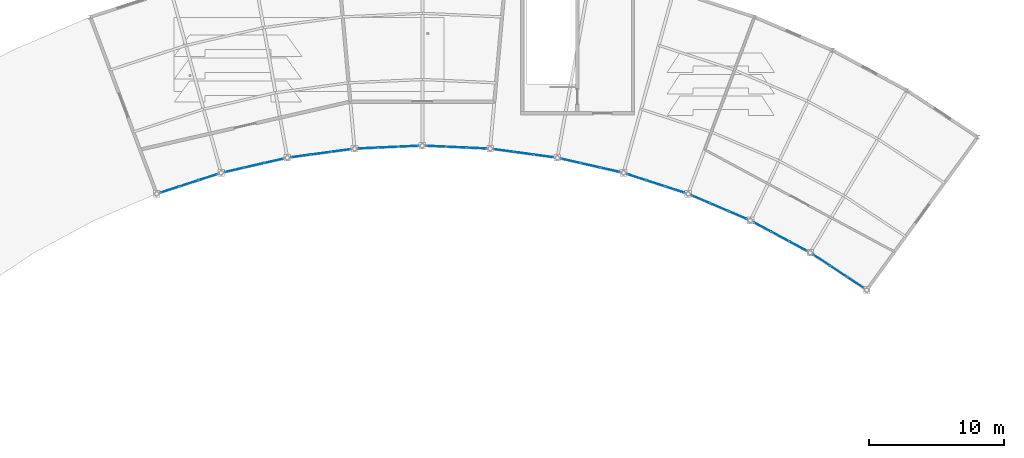
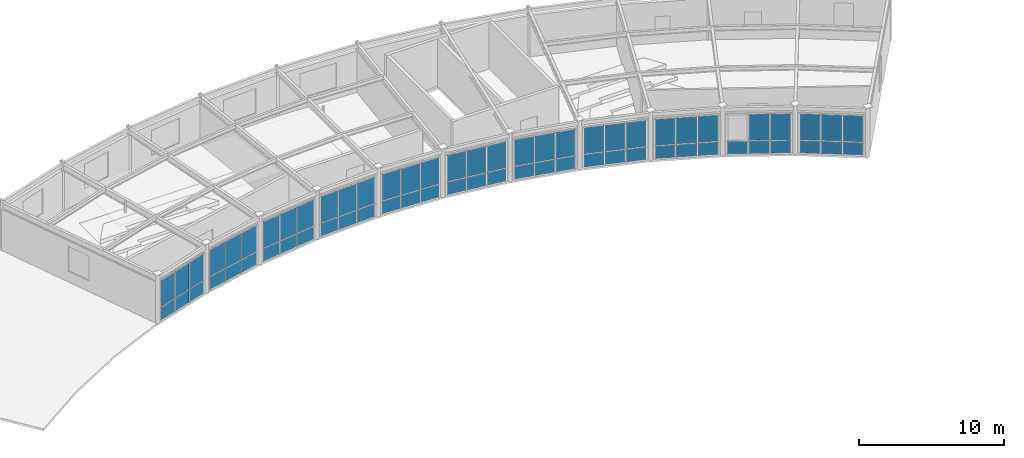
# One storey, part 32 of 54: 65 plates, 11 elements without a shape of their own.
"""IFC4 building model written with IfcOpenShell, lengths in metres."""

from ifc_helpers import new_model, si_unit, direction, frame, origin, origin_2d, place, context, subcontext, project, spatial, rectangle, extrude, material, layer, layer_set, type_object, element, aggregate, save


model = new_model("IFC4")

# Units and contexts
model_context = context("Model", 3, precision=1e-05, world=origin(), true_north=direction((0.0, 1.0)))
body_context = subcontext(model_context, "Body", "Model", "MODEL_VIEW")
ifc_project = project(units=[si_unit("LENGTHUNIT", "METRE"), si_unit("AREAUNIT", "SQUARE_METRE"), si_unit("VOLUMEUNIT", "CUBIC_METRE"), si_unit("PLANEANGLEUNIT", "RADIAN"), si_unit("MASSUNIT", "GRAM", prefix="KILO")], contexts=[model_context])

# Site, building, storey
site_placement = place(None, origin())
site = spatial("IfcSite", under=ifc_project, at=site_placement, CompositionType="ELEMENT")
building_placement = place(site_placement, origin())
building = spatial("IfcBuilding", under=site, at=building_placement, Name="Selat Folded Stagehouse", CompositionType="ELEMENT")
storey_placement = place(building_placement, frame((0.0, 0.0, 15.0)))
storey = spatial("IfcBuildingStorey", under=building, at=storey_placement, Name="L03", CompositionType="ELEMENT", Elevation=15.0)

# Curtain wall, plates
ifc_material_1 = material(Name="Aluminium 6063-T6", Category="aluminium")
ifc_layer_1 = layer(ifc_material_1, 0.18994140625)
ifc_layer_set_1 = layer_set([ifc_layer_1], Name="Aluminium 6063-T6")
curtain_wall_type = type_object("IfcCurtainWallType", Name="CW-REH-ARC", PredefinedType="NOTDEFINED", material=ifc_layer_set_1)
curtain_wall_1_placement = place(storey_placement, origin())
curtain_wall_1 = element("IfcCurtainWall", 1, at=curtain_wall_1_placement, inside=storey, type_object=curtain_wall_type, Name="L03 curtain wall CW-REH-L03-03", PredefinedType="NOTDEFINED")
ifc_material_2 = material(Name="Laminated low-E double glazing", Category="glass")
ifc_layer_2 = layer(ifc_material_2, 0.031982421875)
ifc_layer_set_2 = layer_set([ifc_layer_2], Name="Laminated low-E double glazing")
plate_type = type_object("IfcPlateType", Name="CWP-GLZ-DGU32", PredefinedType="CURTAIN_PANEL", material=ifc_layer_set_2)
plate_1_placement = place(storey_placement, frame((76.53271484375, 91.6669921875, 0.06494140625), z_axis=(0.0, 0.0, 1.0), x_axis=(-0.951064760323, -0.308991620714, 0.0)))
plate_1 = element("IfcPlate", 2, at=plate_1_placement, type_object=plate_type, Name="CW-06 panel 1.1", PredefinedType="CURTAIN_PANEL", context=body_context, shape_type="SweptSolid", body=[
    extrude(rectangle(XDim=1.418212890625, YDim=0.031982421875, at=origin_2d()), origin(), (0.0, 0.0, 1.0), 1.052490234375),
])
plate_2_placement = place(storey_placement, frame((76.53271484375, 91.6669921875, 1.1826171875), z_axis=(0.0, 0.0, 1.0), x_axis=(-0.951064760323, -0.308991620714, 0.0)))
plate_2 = element("IfcPlate", 3, at=plate_2_placement, type_object=plate_type, Name="CW-06 panel 1.2", PredefinedType="CURTAIN_PANEL", context=body_context, shape_type="SweptSolid", body=[
    extrude(rectangle(XDim=1.418212890625, YDim=0.031982421875, at=origin_2d()), origin(), (0.0, 0.0, 1.0), 2.202392578125),
])
plate_3_placement = place(storey_placement, frame((75.112548828125, 91.20556640625, 0.06494140625), z_axis=(0.0, 0.0, 1.0), x_axis=(-0.951064760323, -0.308991620714, 0.0)))
plate_3 = element("IfcPlate", 4, at=plate_3_placement, type_object=plate_type, Name="CW-06 panel 2.1", PredefinedType="CURTAIN_PANEL", context=body_context, shape_type="SweptSolid", body=[
    extrude(rectangle(XDim=1.4482421875, YDim=0.031982421875, at=origin_2d()), origin(), (0.0, 0.0, 1.0), 1.052490234375),
])
plate_4_placement = place(storey_placement, frame((75.112548828125, 91.20556640625, 1.1826171875), z_axis=(0.0, 0.0, 1.0), x_axis=(-0.951064760323, -0.308991620714, 0.0)))
plate_4 = element("IfcPlate", 5, at=plate_4_placement, type_object=plate_type, Name="CW-06 panel 2.2", PredefinedType="CURTAIN_PANEL", context=body_context, shape_type="SweptSolid", body=[
    extrude(rectangle(XDim=1.4482421875, YDim=0.031982421875, at=origin_2d()), origin(), (0.0, 0.0, 1.0), 2.202392578125),
])
plate_5_placement = place(storey_placement, frame((73.6923828125, 90.744140625, 0.06494140625), z_axis=(0.0, 0.0, 1.0), x_axis=(-0.951064760323, -0.308991620714, 0.0)))
plate_5 = element("IfcPlate", 6, at=plate_5_placement, type_object=plate_type, Name="CW-06 panel 3.1", PredefinedType="CURTAIN_PANEL", context=body_context, shape_type="SweptSolid", body=[
    extrude(rectangle(XDim=1.418212890625, YDim=0.031982421875, at=origin_2d()), origin(), (0.0, 0.0, 1.0), 1.052490234375),
])
plate_6_placement = place(storey_placement, frame((73.6923828125, 90.744140625, 1.1826171875), z_axis=(0.0, 0.0, 1.0), x_axis=(-0.951064760323, -0.308991620714, 0.0)))
plate_6 = element("IfcPlate", 7, at=plate_6_placement, type_object=plate_type, Name="CW-06 panel 3.2", PredefinedType="CURTAIN_PANEL", context=body_context, shape_type="SweptSolid", body=[
    extrude(rectangle(XDim=1.418212890625, YDim=0.031982421875, at=origin_2d()), origin(), (0.0, 0.0, 1.0), 2.202392578125),
])
aggregate(curtain_wall_1, [plate_1, plate_2, plate_3, plate_4, plate_5, plate_6])

curtain_wall_2_placement = place(storey_placement, origin())
curtain_wall_2 = element("IfcCurtainWall", 8, at=curtain_wall_2_placement, inside=storey, type_object=curtain_wall_type, Name="L03 curtain wall CW-REH-L03-04", PredefinedType="NOTDEFINED")
plate_7_placement = place(storey_placement, frame((81.4072265625, 92.873291015625, 0.06494140625), z_axis=(0.0, 0.0, 1.0), x_axis=(-0.974922930026, -0.222542761079, 0.0)))
plate_7 = element("IfcPlate", 9, at=plate_7_placement, type_object=plate_type, Name="CW-06 panel 1.1", PredefinedType="CURTAIN_PANEL", context=body_context, shape_type="SweptSolid", body=[
    extrude(rectangle(XDim=1.418212890625, YDim=0.031982421875, at=origin_2d()), origin(), (0.0, 0.0, 1.0), 1.052490234375),
])
plate_8_placement = place(storey_placement, frame((81.4072265625, 92.873291015625, 1.1826171875), z_axis=(0.0, 0.0, 1.0), x_axis=(-0.974922930026, -0.222542761079, 0.0)))
plate_8 = element("IfcPlate", 10, at=plate_8_placement, type_object=plate_type, Name="CW-06 panel 1.2", PredefinedType="CURTAIN_PANEL", context=body_context, shape_type="SweptSolid", body=[
    extrude(rectangle(XDim=1.418212890625, YDim=0.031982421875, at=origin_2d()), origin(), (0.0, 0.0, 1.0), 2.202392578125),
])
plate_9_placement = place(storey_placement, frame((79.951416015625, 92.541015625, 0.06494140625), z_axis=(0.0, 0.0, 1.0), x_axis=(-0.974922930026, -0.222542761079, 0.0)))
plate_9 = element("IfcPlate", 11, at=plate_9_placement, type_object=plate_type, Name="CW-06 panel 2.1", PredefinedType="CURTAIN_PANEL", context=body_context, shape_type="SweptSolid", body=[
    extrude(rectangle(XDim=1.4482421875, YDim=0.031982421875, at=origin_2d()), origin(), (0.0, 0.0, 1.0), 1.052490234375),
])
plate_10_placement = place(storey_placement, frame((79.951416015625, 92.541015625, 1.1826171875), z_axis=(0.0, 0.0, 1.0), x_axis=(-0.974922930026, -0.222542761079, 0.0)))
plate_10 = element("IfcPlate", 12, at=plate_10_placement, type_object=plate_type, Name="CW-06 panel 2.2", PredefinedType="CURTAIN_PANEL", context=body_context, shape_type="SweptSolid", body=[
    extrude(rectangle(XDim=1.4482421875, YDim=0.031982421875, at=origin_2d()), origin(), (0.0, 0.0, 1.0), 2.202392578125),
])
plate_11_placement = place(storey_placement, frame((78.495361328125, 92.208740234375, 0.06494140625), z_axis=(0.0, 0.0, 1.0), x_axis=(-0.974922930026, -0.222542761079, 0.0)))
plate_11 = element("IfcPlate", 13, at=plate_11_placement, type_object=plate_type, Name="CW-06 panel 3.1", PredefinedType="CURTAIN_PANEL", context=body_context, shape_type="SweptSolid", body=[
    extrude(rectangle(XDim=1.418212890625, YDim=0.031982421875, at=origin_2d()), origin(), (0.0, 0.0, 1.0), 1.052490234375),
])
plate_12_placement = place(storey_placement, frame((78.495361328125, 92.208740234375, 1.1826171875), z_axis=(0.0, 0.0, 1.0), x_axis=(-0.974922930026, -0.222542761079, 0.0)))
plate_12 = element("IfcPlate", 14, at=plate_12_placement, type_object=plate_type, Name="CW-06 panel 3.2", PredefinedType="CURTAIN_PANEL", context=body_context, shape_type="SweptSolid", body=[
    extrude(rectangle(XDim=1.418212890625, YDim=0.031982421875, at=origin_2d()), origin(), (0.0, 0.0, 1.0), 2.202392578125),
])
aggregate(curtain_wall_2, [plate_7, plate_8, plate_9, plate_10, plate_11, plate_12])

curtain_wall_3_placement = place(storey_placement, origin())
curtain_wall_3 = element("IfcCurtainWall", 15, at=curtain_wall_3_placement, inside=storey, type_object=curtain_wall_type, Name="L03 curtain wall CW-REH-L03-05", PredefinedType="NOTDEFINED")
plate_13_placement = place(storey_placement, frame((86.370361328125, 93.6376953125, 0.06494140625), z_axis=(0.0, 0.0, 1.0), x_axis=(-0.990952673876, -0.134211766018, 0.0)))
plate_13 = element("IfcPlate", 16, at=plate_13_placement, type_object=plate_type, Name="CW-06 panel 1.1", PredefinedType="CURTAIN_PANEL", context=body_context, shape_type="SweptSolid", body=[
    extrude(rectangle(XDim=1.418212890625, YDim=0.031982421875, at=origin_2d()), origin(), (0.0, 0.0, 1.0), 1.052490234375),
])
plate_14_placement = place(storey_placement, frame((86.370361328125, 93.6376953125, 1.1826171875), z_axis=(0.0, 0.0, 1.0), x_axis=(-0.990952673876, -0.134211766018, 0.0)))
plate_14 = element("IfcPlate", 17, at=plate_14_placement, type_object=plate_type, Name="CW-06 panel 1.2", PredefinedType="CURTAIN_PANEL", context=body_context, shape_type="SweptSolid", body=[
    extrude(rectangle(XDim=1.418212890625, YDim=0.031982421875, at=origin_2d()), origin(), (0.0, 0.0, 1.0), 2.202392578125),
])
plate_15_placement = place(storey_placement, frame((84.890380859375, 93.437255859375, 0.06494140625), z_axis=(0.0, 0.0, 1.0), x_axis=(-0.990952673876, -0.134211766018, 0.0)))
plate_15 = element("IfcPlate", 18, at=plate_15_placement, type_object=plate_type, Name="CW-06 panel 2.1", PredefinedType="CURTAIN_PANEL", context=body_context, shape_type="SweptSolid", body=[
    extrude(rectangle(XDim=1.4482421875, YDim=0.031982421875, at=origin_2d()), origin(), (0.0, 0.0, 1.0), 1.052490234375),
])
plate_16_placement = place(storey_placement, frame((84.890380859375, 93.437255859375, 1.1826171875), z_axis=(0.0, 0.0, 1.0), x_axis=(-0.990952673876, -0.134211766018, 0.0)))
plate_16 = element("IfcPlate", 19, at=plate_16_placement, type_object=plate_type, Name="CW-06 panel 2.2", PredefinedType="CURTAIN_PANEL", context=body_context, shape_type="SweptSolid", body=[
    extrude(rectangle(XDim=1.4482421875, YDim=0.031982421875, at=origin_2d()), origin(), (0.0, 0.0, 1.0), 2.202392578125),
])
plate_17_placement = place(storey_placement, frame((83.41064453125, 93.23681640625, 0.06494140625), z_axis=(0.0, 0.0, 1.0), x_axis=(-0.990952673876, -0.134211766018, 0.0)))
plate_17 = element("IfcPlate", 20, at=plate_17_placement, type_object=plate_type, Name="CW-06 panel 3.1", PredefinedType="CURTAIN_PANEL", context=body_context, shape_type="SweptSolid", body=[
    extrude(rectangle(XDim=1.418212890625, YDim=0.031982421875, at=origin_2d()), origin(), (0.0, 0.0, 1.0), 1.052490234375),
])
plate_18_placement = place(storey_placement, frame((83.41064453125, 93.23681640625, 1.1826171875), z_axis=(0.0, 0.0, 1.0), x_axis=(-0.990952673876, -0.134211766018, 0.0)))
plate_18 = element("IfcPlate", 21, at=plate_18_placement, type_object=plate_type, Name="CW-06 panel 3.2", PredefinedType="CURTAIN_PANEL", context=body_context, shape_type="SweptSolid", body=[
    extrude(rectangle(XDim=1.418212890625, YDim=0.031982421875, at=origin_2d()), origin(), (0.0, 0.0, 1.0), 2.202392578125),
])
aggregate(curtain_wall_3, [plate_13, plate_14, plate_15, plate_16, plate_17, plate_18])

curtain_wall_4_placement = place(storey_placement, origin())
curtain_wall_4 = element("IfcCurtainWall", 22, at=curtain_wall_4_placement, inside=storey, type_object=curtain_wall_type, Name="L03 curtain wall CW-REH-L03-06", PredefinedType="NOTDEFINED")
plate_19_placement = place(storey_placement, frame((91.3818359375, 93.954345703125, 0.06494140625), z_axis=(0.0, 0.0, 1.0), x_axis=(-0.998993179436, -0.044862316478, 0.0)))
plate_19 = element("IfcPlate", 23, at=plate_19_placement, type_object=plate_type, Name="CW-06 panel 1.1", PredefinedType="CURTAIN_PANEL", context=body_context, shape_type="SweptSolid", body=[
    extrude(rectangle(XDim=1.418212890625, YDim=0.031982421875, at=origin_2d()), origin(), (0.0, 0.0, 1.0), 1.052490234375),
])
plate_20_placement = place(storey_placement, frame((91.3818359375, 93.954345703125, 1.1826171875), z_axis=(0.0, 0.0, 1.0), x_axis=(-0.998993179436, -0.044862316478, 0.0)))
plate_20 = element("IfcPlate", 24, at=plate_20_placement, type_object=plate_type, Name="CW-06 panel 1.2", PredefinedType="CURTAIN_PANEL", context=body_context, shape_type="SweptSolid", body=[
    extrude(rectangle(XDim=1.418212890625, YDim=0.031982421875, at=origin_2d()), origin(), (0.0, 0.0, 1.0), 2.202392578125),
])
plate_21_placement = place(storey_placement, frame((89.89013671875, 93.88720703125, 0.06494140625), z_axis=(0.0, 0.0, 1.0), x_axis=(-0.998993179436, -0.044862316478, 0.0)))
plate_21 = element("IfcPlate", 25, at=plate_21_placement, type_object=plate_type, Name="CW-06 panel 2.1", PredefinedType="CURTAIN_PANEL", context=body_context, shape_type="SweptSolid", body=[
    extrude(rectangle(XDim=1.4482421875, YDim=0.031982421875, at=origin_2d()), origin(), (0.0, 0.0, 1.0), 1.052490234375),
])
plate_22_placement = place(storey_placement, frame((89.89013671875, 93.88720703125, 1.1826171875), z_axis=(0.0, 0.0, 1.0), x_axis=(-0.998993179436, -0.044862316478, 0.0)))
plate_22 = element("IfcPlate", 26, at=plate_22_placement, type_object=plate_type, Name="CW-06 panel 2.2", PredefinedType="CURTAIN_PANEL", context=body_context, shape_type="SweptSolid", body=[
    extrude(rectangle(XDim=1.4482421875, YDim=0.031982421875, at=origin_2d()), origin(), (0.0, 0.0, 1.0), 2.202392578125),
])
plate_23_placement = place(storey_placement, frame((88.398193359375, 93.8203125, 0.06494140625), z_axis=(0.0, 0.0, 1.0), x_axis=(-0.998993179436, -0.044862316478, 0.0)))
plate_23 = element("IfcPlate", 27, at=plate_23_placement, type_object=plate_type, Name="CW-06 panel 3.1", PredefinedType="CURTAIN_PANEL", context=body_context, shape_type="SweptSolid", body=[
    extrude(rectangle(XDim=1.418212890625, YDim=0.031982421875, at=origin_2d()), origin(), (0.0, 0.0, 1.0), 1.052490234375),
])
plate_24_placement = place(storey_placement, frame((88.398193359375, 93.8203125, 1.1826171875), z_axis=(0.0, 0.0, 1.0), x_axis=(-0.998993179436, -0.044862316478, 0.0)))
plate_24 = element("IfcPlate", 28, at=plate_24_placement, type_object=plate_type, Name="CW-06 panel 3.2", PredefinedType="CURTAIN_PANEL", context=body_context, shape_type="SweptSolid", body=[
    extrude(rectangle(XDim=1.418212890625, YDim=0.031982421875, at=origin_2d()), origin(), (0.0, 0.0, 1.0), 2.202392578125),
])
aggregate(curtain_wall_4, [plate_19, plate_20, plate_21, plate_22, plate_23, plate_24])

curtain_wall_5_placement = place(storey_placement, origin())
curtain_wall_5 = element("IfcCurtainWall", 29, at=curtain_wall_5_placement, inside=storey, type_object=curtain_wall_type, Name="L03 curtain wall CW-REH-L03-07", PredefinedType="NOTDEFINED")
plate_25_placement = place(storey_placement, frame((96.401611328125, 93.8203125, 0.06494140625), z_axis=(0.0, 0.0, 1.0), x_axis=(-0.998993179436, 0.044862316478, 0.0)))
plate_25 = element("IfcPlate", 30, at=plate_25_placement, type_object=plate_type, Name="CW-06 panel 1.1", PredefinedType="CURTAIN_PANEL", context=body_context, shape_type="SweptSolid", body=[
    extrude(rectangle(XDim=1.418212890625, YDim=0.031982421875, at=origin_2d()), origin(), (0.0, 0.0, 1.0), 1.052490234375),
])
plate_26_placement = place(storey_placement, frame((96.401611328125, 93.8203125, 1.1826171875), z_axis=(0.0, 0.0, 1.0), x_axis=(-0.998993179436, 0.044862316478, 0.0)))
plate_26 = element("IfcPlate", 31, at=plate_26_placement, type_object=plate_type, Name="CW-06 panel 1.2", PredefinedType="CURTAIN_PANEL", context=body_context, shape_type="SweptSolid", body=[
    extrude(rectangle(XDim=1.418212890625, YDim=0.031982421875, at=origin_2d()), origin(), (0.0, 0.0, 1.0), 2.202392578125),
])
plate_27_placement = place(storey_placement, frame((94.909912109375, 93.88720703125, 0.06494140625), z_axis=(0.0, 0.0, 1.0), x_axis=(-0.998993179436, 0.044862316478, 0.0)))
plate_27 = element("IfcPlate", 32, at=plate_27_placement, type_object=plate_type, Name="CW-06 panel 2.1", PredefinedType="CURTAIN_PANEL", context=body_context, shape_type="SweptSolid", body=[
    extrude(rectangle(XDim=1.4482421875, YDim=0.031982421875, at=origin_2d()), origin(), (0.0, 0.0, 1.0), 1.052490234375),
])
plate_28_placement = place(storey_placement, frame((94.909912109375, 93.88720703125, 1.1826171875), z_axis=(0.0, 0.0, 1.0), x_axis=(-0.998993179436, 0.044862316478, 0.0)))
plate_28 = element("IfcPlate", 33, at=plate_28_placement, type_object=plate_type, Name="CW-06 panel 2.2", PredefinedType="CURTAIN_PANEL", context=body_context, shape_type="SweptSolid", body=[
    extrude(rectangle(XDim=1.4482421875, YDim=0.031982421875, at=origin_2d()), origin(), (0.0, 0.0, 1.0), 2.202392578125),
])
plate_29_placement = place(storey_placement, frame((93.41796875, 93.954345703125, 0.06494140625), z_axis=(0.0, 0.0, 1.0), x_axis=(-0.998993179436, 0.044862316478, 0.0)))
plate_29 = element("IfcPlate", 34, at=plate_29_placement, type_object=plate_type, Name="CW-06 panel 3.1", PredefinedType="CURTAIN_PANEL", context=body_context, shape_type="SweptSolid", body=[
    extrude(rectangle(XDim=1.418212890625, YDim=0.031982421875, at=origin_2d()), origin(), (0.0, 0.0, 1.0), 1.052490234375),
])
plate_30_placement = place(storey_placement, frame((93.41796875, 93.954345703125, 1.1826171875), z_axis=(0.0, 0.0, 1.0), x_axis=(-0.998993179436, 0.044862316478, 0.0)))
plate_30 = element("IfcPlate", 35, at=plate_30_placement, type_object=plate_type, Name="CW-06 panel 3.2", PredefinedType="CURTAIN_PANEL", context=body_context, shape_type="SweptSolid", body=[
    extrude(rectangle(XDim=1.418212890625, YDim=0.031982421875, at=origin_2d()), origin(), (0.0, 0.0, 1.0), 2.202392578125),
])
aggregate(curtain_wall_5, [plate_25, plate_26, plate_27, plate_28, plate_29, plate_30])

curtain_wall_6_placement = place(storey_placement, origin())
curtain_wall_6 = element("IfcCurtainWall", 36, at=curtain_wall_6_placement, inside=storey, type_object=curtain_wall_type, Name="L03 curtain wall CW-REH-L03-08", PredefinedType="NOTDEFINED")
plate_31_placement = place(storey_placement, frame((101.389404296875, 93.23681640625, 0.06494140625), z_axis=(0.0, 0.0, 1.0), x_axis=(-0.990952673876, 0.134211766018, 0.0)))
plate_31 = element("IfcPlate", 37, at=plate_31_placement, type_object=plate_type, Name="CW-06 panel 1.1", PredefinedType="CURTAIN_PANEL", context=body_context, shape_type="SweptSolid", body=[
    extrude(rectangle(XDim=1.418212890625, YDim=0.031982421875, at=origin_2d()), origin(), (0.0, 0.0, 1.0), 1.052490234375),
])
plate_32_placement = place(storey_placement, frame((101.389404296875, 93.23681640625, 1.1826171875), z_axis=(0.0, 0.0, 1.0), x_axis=(-0.990952673876, 0.134211766018, 0.0)))
plate_32 = element("IfcPlate", 38, at=plate_32_placement, type_object=plate_type, Name="CW-06 panel 1.2", PredefinedType="CURTAIN_PANEL", context=body_context, shape_type="SweptSolid", body=[
    extrude(rectangle(XDim=1.418212890625, YDim=0.031982421875, at=origin_2d()), origin(), (0.0, 0.0, 1.0), 2.202392578125),
])
plate_33_placement = place(storey_placement, frame((99.909423828125, 93.437255859375, 0.06494140625), z_axis=(0.0, 0.0, 1.0), x_axis=(-0.990952673876, 0.134211766018, 0.0)))
plate_33 = element("IfcPlate", 39, at=plate_33_placement, type_object=plate_type, Name="CW-06 panel 2.1", PredefinedType="CURTAIN_PANEL", context=body_context, shape_type="SweptSolid", body=[
    extrude(rectangle(XDim=1.4482421875, YDim=0.031982421875, at=origin_2d()), origin(), (0.0, 0.0, 1.0), 1.052490234375),
])
plate_34_placement = place(storey_placement, frame((99.909423828125, 93.437255859375, 1.1826171875), z_axis=(0.0, 0.0, 1.0), x_axis=(-0.990952673876, 0.134211766018, 0.0)))
plate_34 = element("IfcPlate", 40, at=plate_34_placement, type_object=plate_type, Name="CW-06 panel 2.2", PredefinedType="CURTAIN_PANEL", context=body_context, shape_type="SweptSolid", body=[
    extrude(rectangle(XDim=1.4482421875, YDim=0.031982421875, at=origin_2d()), origin(), (0.0, 0.0, 1.0), 2.202392578125),
])
plate_35_placement = place(storey_placement, frame((98.4296875, 93.6376953125, 0.06494140625), z_axis=(0.0, 0.0, 1.0), x_axis=(-0.990952673876, 0.134211766018, 0.0)))
plate_35 = element("IfcPlate", 41, at=plate_35_placement, type_object=plate_type, Name="CW-06 panel 3.1", PredefinedType="CURTAIN_PANEL", context=body_context, shape_type="SweptSolid", body=[
    extrude(rectangle(XDim=1.418212890625, YDim=0.031982421875, at=origin_2d()), origin(), (0.0, 0.0, 1.0), 1.052490234375),
])
plate_36_placement = place(storey_placement, frame((98.4296875, 93.6376953125, 1.1826171875), z_axis=(0.0, 0.0, 1.0), x_axis=(-0.990952673876, 0.134211766018, 0.0)))
plate_36 = element("IfcPlate", 42, at=plate_36_placement, type_object=plate_type, Name="CW-06 panel 3.2", PredefinedType="CURTAIN_PANEL", context=body_context, shape_type="SweptSolid", body=[
    extrude(rectangle(XDim=1.418212890625, YDim=0.031982421875, at=origin_2d()), origin(), (0.0, 0.0, 1.0), 2.202392578125),
])
aggregate(curtain_wall_6, [plate_31, plate_32, plate_33, plate_34, plate_35, plate_36])

curtain_wall_7_placement = place(storey_placement, origin())
curtain_wall_7 = element("IfcCurtainWall", 43, at=curtain_wall_7_placement, inside=storey, type_object=curtain_wall_type, Name="L03 curtain wall CW-REH-L03-09", PredefinedType="NOTDEFINED")
plate_37_placement = place(storey_placement, frame((106.304443359375, 92.208740234375, 0.06494140625), z_axis=(0.0, 0.0, 1.0), x_axis=(-0.974922930026, 0.222542761079, 0.0)))
plate_37 = element("IfcPlate", 44, at=plate_37_placement, type_object=plate_type, Name="CW-06 panel 1.1", PredefinedType="CURTAIN_PANEL", context=body_context, shape_type="SweptSolid", body=[
    extrude(rectangle(XDim=1.418212890625, YDim=0.031982421875, at=origin_2d()), origin(), (0.0, 0.0, 1.0), 1.052490234375),
])
plate_38_placement = place(storey_placement, frame((106.304443359375, 92.208740234375, 1.1826171875), z_axis=(0.0, 0.0, 1.0), x_axis=(-0.974922930026, 0.222542761079, 0.0)))
plate_38 = element("IfcPlate", 45, at=plate_38_placement, type_object=plate_type, Name="CW-06 panel 1.2", PredefinedType="CURTAIN_PANEL", context=body_context, shape_type="SweptSolid", body=[
    extrude(rectangle(XDim=1.418212890625, YDim=0.031982421875, at=origin_2d()), origin(), (0.0, 0.0, 1.0), 2.202392578125),
])
plate_39_placement = place(storey_placement, frame((104.8486328125, 92.541015625, 0.06494140625), z_axis=(0.0, 0.0, 1.0), x_axis=(-0.974922930026, 0.222542761079, 0.0)))
plate_39 = element("IfcPlate", 46, at=plate_39_placement, type_object=plate_type, Name="CW-06 panel 2.1", PredefinedType="CURTAIN_PANEL", context=body_context, shape_type="SweptSolid", body=[
    extrude(rectangle(XDim=1.4482421875, YDim=0.031982421875, at=origin_2d()), origin(), (0.0, 0.0, 1.0), 1.052490234375),
])
plate_40_placement = place(storey_placement, frame((104.8486328125, 92.541015625, 1.1826171875), z_axis=(0.0, 0.0, 1.0), x_axis=(-0.974922930026, 0.222542761079, 0.0)))
plate_40 = element("IfcPlate", 47, at=plate_40_placement, type_object=plate_type, Name="CW-06 panel 2.2", PredefinedType="CURTAIN_PANEL", context=body_context, shape_type="SweptSolid", body=[
    extrude(rectangle(XDim=1.4482421875, YDim=0.031982421875, at=origin_2d()), origin(), (0.0, 0.0, 1.0), 2.202392578125),
])
plate_41_placement = place(storey_placement, frame((103.392822265625, 92.873291015625, 0.06494140625), z_axis=(0.0, 0.0, 1.0), x_axis=(-0.974922930026, 0.222542761079, 0.0)))
plate_41 = element("IfcPlate", 48, at=plate_41_placement, type_object=plate_type, Name="CW-06 panel 3.1", PredefinedType="CURTAIN_PANEL", context=body_context, shape_type="SweptSolid", body=[
    extrude(rectangle(XDim=1.418212890625, YDim=0.031982421875, at=origin_2d()), origin(), (0.0, 0.0, 1.0), 1.052490234375),
])
plate_42_placement = place(storey_placement, frame((103.392822265625, 92.873291015625, 1.1826171875), z_axis=(0.0, 0.0, 1.0), x_axis=(-0.974922930026, 0.222542761079, 0.0)))
plate_42 = element("IfcPlate", 49, at=plate_42_placement, type_object=plate_type, Name="CW-06 panel 3.2", PredefinedType="CURTAIN_PANEL", context=body_context, shape_type="SweptSolid", body=[
    extrude(rectangle(XDim=1.418212890625, YDim=0.031982421875, at=origin_2d()), origin(), (0.0, 0.0, 1.0), 2.202392578125),
])
aggregate(curtain_wall_7, [plate_37, plate_38, plate_39, plate_40, plate_41, plate_42])

curtain_wall_8_placement = place(storey_placement, origin())
curtain_wall_8 = element("IfcCurtainWall", 50, at=curtain_wall_8_placement, inside=storey, type_object=curtain_wall_type, Name="L03 curtain wall CW-REH-L03-10", PredefinedType="NOTDEFINED")
plate_43_placement = place(storey_placement, frame((111.107666015625, 90.744140625, 0.06494140625), z_axis=(0.0, 0.0, 1.0), x_axis=(-0.951064760323, 0.308991620714, 0.0)))
plate_43 = element("IfcPlate", 51, at=plate_43_placement, type_object=plate_type, Name="CW-06 panel 1.1", PredefinedType="CURTAIN_PANEL", context=body_context, shape_type="SweptSolid", body=[
    extrude(rectangle(XDim=1.418212890625, YDim=0.031982421875, at=origin_2d()), origin(), (0.0, 0.0, 1.0), 1.052490234375),
])
plate_44_placement = place(storey_placement, frame((111.107666015625, 90.744140625, 1.1826171875), z_axis=(0.0, 0.0, 1.0), x_axis=(-0.951064760323, 0.308991620714, 0.0)))
plate_44 = element("IfcPlate", 52, at=plate_44_placement, type_object=plate_type, Name="CW-06 panel 1.2", PredefinedType="CURTAIN_PANEL", context=body_context, shape_type="SweptSolid", body=[
    extrude(rectangle(XDim=1.418212890625, YDim=0.031982421875, at=origin_2d()), origin(), (0.0, 0.0, 1.0), 2.202392578125),
])
plate_45_placement = place(storey_placement, frame((109.6875, 91.20556640625, 0.06494140625), z_axis=(0.0, 0.0, 1.0), x_axis=(-0.951064760323, 0.308991620714, 0.0)))
plate_45 = element("IfcPlate", 53, at=plate_45_placement, type_object=plate_type, Name="CW-06 panel 2.1", PredefinedType="CURTAIN_PANEL", context=body_context, shape_type="SweptSolid", body=[
    extrude(rectangle(XDim=1.4482421875, YDim=0.031982421875, at=origin_2d()), origin(), (0.0, 0.0, 1.0), 1.052490234375),
])
plate_46_placement = place(storey_placement, frame((109.6875, 91.20556640625, 1.1826171875), z_axis=(0.0, 0.0, 1.0), x_axis=(-0.951064760323, 0.308991620714, 0.0)))
plate_46 = element("IfcPlate", 54, at=plate_46_placement, type_object=plate_type, Name="CW-06 panel 2.2", PredefinedType="CURTAIN_PANEL", context=body_context, shape_type="SweptSolid", body=[
    extrude(rectangle(XDim=1.4482421875, YDim=0.031982421875, at=origin_2d()), origin(), (0.0, 0.0, 1.0), 2.202392578125),
])
plate_47_placement = place(storey_placement, frame((108.267333984375, 91.6669921875, 0.06494140625), z_axis=(0.0, 0.0, 1.0), x_axis=(-0.951064760323, 0.308991620714, 0.0)))
plate_47 = element("IfcPlate", 55, at=plate_47_placement, type_object=plate_type, Name="CW-06 panel 3.1", PredefinedType="CURTAIN_PANEL", context=body_context, shape_type="SweptSolid", body=[
    extrude(rectangle(XDim=1.418212890625, YDim=0.031982421875, at=origin_2d()), origin(), (0.0, 0.0, 1.0), 1.052490234375),
])
plate_48_placement = place(storey_placement, frame((108.267333984375, 91.6669921875, 1.1826171875), z_axis=(0.0, 0.0, 1.0), x_axis=(-0.951064760323, 0.308991620714, 0.0)))
plate_48 = element("IfcPlate", 56, at=plate_48_placement, type_object=plate_type, Name="CW-06 panel 3.2", PredefinedType="CURTAIN_PANEL", context=body_context, shape_type="SweptSolid", body=[
    extrude(rectangle(XDim=1.418212890625, YDim=0.031982421875, at=origin_2d()), origin(), (0.0, 0.0, 1.0), 2.202392578125),
])
aggregate(curtain_wall_8, [plate_43, plate_44, plate_45, plate_46, plate_47, plate_48])

curtain_wall_9_placement = place(storey_placement, origin())
curtain_wall_9 = element("IfcCurtainWall", 57, at=curtain_wall_9_placement, inside=storey, type_object=curtain_wall_type, Name="L03 curtain wall CW-REH-L03-11", PredefinedType="NOTDEFINED")
plate_49_placement = place(storey_placement, frame((115.76025390625, 88.85498046875, 0.06494140625), z_axis=(0.0, 0.0, 1.0), x_axis=(-0.919533245639, 0.393012226483, 0.0)))
plate_49 = element("IfcPlate", 58, at=plate_49_placement, type_object=plate_type, Name="CW-06 panel 1.1", PredefinedType="CURTAIN_PANEL", context=body_context, shape_type="SweptSolid", body=[
    extrude(rectangle(XDim=1.418212890625, YDim=0.031982421875, at=origin_2d()), origin(), (0.0, 0.0, 1.0), 1.052490234375),
])
plate_50_placement = place(storey_placement, frame((115.76025390625, 88.85498046875, 1.1826171875), z_axis=(0.0, 0.0, 1.0), x_axis=(-0.919533245639, 0.393012226483, 0.0)))
plate_50 = element("IfcPlate", 59, at=plate_50_placement, type_object=plate_type, Name="CW-06 panel 1.2", PredefinedType="CURTAIN_PANEL", context=body_context, shape_type="SweptSolid", body=[
    extrude(rectangle(XDim=1.418212890625, YDim=0.031982421875, at=origin_2d()), origin(), (0.0, 0.0, 1.0), 2.202392578125),
])
plate_51_placement = place(storey_placement, frame((114.38720703125, 89.441650390625, 0.06494140625), z_axis=(0.0, 0.0, 1.0), x_axis=(-0.919533245639, 0.393012226483, 0.0)))
plate_51 = element("IfcPlate", 60, at=plate_51_placement, type_object=plate_type, Name="CW-06 panel 2.1", PredefinedType="CURTAIN_PANEL", context=body_context, shape_type="SweptSolid", body=[
    extrude(rectangle(XDim=1.4482421875, YDim=0.031982421875, at=origin_2d()), origin(), (0.0, 0.0, 1.0), 1.052490234375),
])
plate_52_placement = place(storey_placement, frame((114.38720703125, 89.441650390625, 1.1826171875), z_axis=(0.0, 0.0, 1.0), x_axis=(-0.919533245639, 0.393012226483, 0.0)))
plate_52 = element("IfcPlate", 61, at=plate_52_placement, type_object=plate_type, Name="CW-06 panel 2.2", PredefinedType="CURTAIN_PANEL", context=body_context, shape_type="SweptSolid", body=[
    extrude(rectangle(XDim=1.4482421875, YDim=0.031982421875, at=origin_2d()), origin(), (0.0, 0.0, 1.0), 2.202392578125),
])
plate_53_placement = place(storey_placement, frame((113.01416015625, 90.028564453125, 0.06494140625), z_axis=(0.0, 0.0, 1.0), x_axis=(-0.919533245639, 0.393012226483, 0.0)))
plate_53 = element("IfcPlate", 62, at=plate_53_placement, type_object=plate_type, Name="CW-06 panel 3.1", PredefinedType="CURTAIN_PANEL", context=body_context, shape_type="SweptSolid", body=[
    extrude(rectangle(XDim=1.418212890625, YDim=0.031982421875, at=origin_2d()), origin(), (0.0, 0.0, 1.0), 1.052490234375),
])
plate_54_placement = place(storey_placement, frame((113.01416015625, 90.028564453125, 1.1826171875), z_axis=(0.0, 0.0, 1.0), x_axis=(-0.919533245639, 0.393012226483, 0.0)))
plate_54 = element("IfcPlate", 63, at=plate_54_placement, type_object=plate_type, Name="CW-06 panel 3.2", PredefinedType="CURTAIN_PANEL", context=body_context, shape_type="SweptSolid", body=[
    extrude(rectangle(XDim=1.418212890625, YDim=0.031982421875, at=origin_2d()), origin(), (0.0, 0.0, 1.0), 2.202392578125),
])
aggregate(curtain_wall_9, [plate_49, plate_50, plate_51, plate_52, plate_53, plate_54])

curtain_wall_10_placement = place(storey_placement, origin())
curtain_wall_10 = element("IfcCurtainWall", 64, at=curtain_wall_10_placement, inside=storey, type_object=curtain_wall_type, Name="L03 curtain wall CW-REH-L03-12", PredefinedType="NOTDEFINED")
plate_55_placement = place(storey_placement, frame((120.224853515625, 86.55615234375, 0.06494140625), z_axis=(0.0, 0.0, 1.0), x_axis=(-0.880600927119, 0.473858636259, 0.0)))
plate_55 = element("IfcPlate", 65, at=plate_55_placement, type_object=plate_type, Name="CW-06 panel 1.1", PredefinedType="CURTAIN_PANEL", context=body_context, shape_type="SweptSolid", body=[
    extrude(rectangle(XDim=1.418212890625, YDim=0.031982421875, at=origin_2d()), origin(), (0.0, 0.0, 1.0), 1.052490234375),
])
plate_56_placement = place(storey_placement, frame((120.224853515625, 86.55615234375, 1.1826171875), z_axis=(0.0, 0.0, 1.0), x_axis=(-0.880600927119, 0.473858636259, 0.0)))
plate_56 = element("IfcPlate", 66, at=plate_56_placement, type_object=plate_type, Name="CW-06 panel 1.2", PredefinedType="CURTAIN_PANEL", context=body_context, shape_type="SweptSolid", body=[
    extrude(rectangle(XDim=1.418212890625, YDim=0.031982421875, at=origin_2d()), origin(), (0.0, 0.0, 1.0), 2.202392578125),
])
plate_57_placement = place(storey_placement, frame((118.909912109375, 87.263671875, 0.06494140625), z_axis=(0.0, 0.0, 1.0), x_axis=(-0.880600927119, 0.473858636259, 0.0)))
plate_57 = element("IfcPlate", 67, at=plate_57_placement, type_object=plate_type, Name="CW-06 panel 2.1", PredefinedType="CURTAIN_PANEL", context=body_context, shape_type="SweptSolid", body=[
    extrude(rectangle(XDim=1.4482421875, YDim=0.031982421875, at=origin_2d()), origin(), (0.0, 0.0, 1.0), 1.052490234375),
])
plate_58_placement = place(storey_placement, frame((118.909912109375, 87.263671875, 1.1826171875), z_axis=(0.0, 0.0, 1.0), x_axis=(-0.880600927119, 0.473858636259, 0.0)))
plate_58 = element("IfcPlate", 68, at=plate_58_placement, type_object=plate_type, Name="CW-06 panel 2.2", PredefinedType="CURTAIN_PANEL", context=body_context, shape_type="SweptSolid", body=[
    extrude(rectangle(XDim=1.4482421875, YDim=0.031982421875, at=origin_2d()), origin(), (0.0, 0.0, 1.0), 2.202392578125),
])
plate_59_placement = place(storey_placement, frame((117.594970703125, 87.971435546875, 0.06494140625), z_axis=(0.0, 0.0, 1.0), x_axis=(-0.880600927119, 0.473858636259, 0.0)))
plate_59 = element("IfcPlate", 69, at=plate_59_placement, type_object=plate_type, Name="CW-06 panel 3.1", PredefinedType="CURTAIN_PANEL", context=body_context, shape_type="SweptSolid", body=[
    extrude(rectangle(XDim=1.418212890625, YDim=0.031982421875, at=origin_2d()), origin(), (0.0, 0.0, 1.0), 1.052490234375),
])
aggregate(curtain_wall_10, [plate_55, plate_56, plate_57, plate_58, plate_59])

curtain_wall_11_placement = place(storey_placement, origin())
curtain_wall_11 = element("IfcCurtainWall", 70, at=curtain_wall_11_placement, inside=storey, type_object=curtain_wall_type, Name="L03 curtain wall CW-REH-L03-13", PredefinedType="NOTDEFINED")
plate_60_placement = place(storey_placement, frame((124.465576171875, 83.866455078125, 0.06494140625), z_axis=(0.0, 0.0, 1.0), x_axis=(-0.834581363399, 0.550884695619, 0.0)))
plate_60 = element("IfcPlate", 71, at=plate_60_placement, type_object=plate_type, Name="CW-06 panel 1.1", PredefinedType="CURTAIN_PANEL", context=body_context, shape_type="SweptSolid", body=[
    extrude(rectangle(XDim=1.418212890625, YDim=0.031982421875, at=origin_2d()), origin(), (0.0, 0.0, 1.0), 1.052490234375),
])
plate_61_placement = place(storey_placement, frame((124.465576171875, 83.866455078125, 1.1826171875), z_axis=(0.0, 0.0, 1.0), x_axis=(-0.834581363399, 0.550884695619, 0.0)))
plate_61 = element("IfcPlate", 72, at=plate_61_placement, type_object=plate_type, Name="CW-06 panel 1.2", PredefinedType="CURTAIN_PANEL", context=body_context, shape_type="SweptSolid", body=[
    extrude(rectangle(XDim=1.418212890625, YDim=0.031982421875, at=origin_2d()), origin(), (0.0, 0.0, 1.0), 2.202392578125),
])
plate_62_placement = place(storey_placement, frame((123.21923828125, 84.68896484375, 0.06494140625), z_axis=(0.0, 0.0, 1.0), x_axis=(-0.834581363399, 0.550884695619, 0.0)))
plate_62 = element("IfcPlate", 73, at=plate_62_placement, type_object=plate_type, Name="CW-06 panel 2.1", PredefinedType="CURTAIN_PANEL", context=body_context, shape_type="SweptSolid", body=[
    extrude(rectangle(XDim=1.4482421875, YDim=0.031982421875, at=origin_2d()), origin(), (0.0, 0.0, 1.0), 1.052490234375),
])
plate_63_placement = place(storey_placement, frame((123.21923828125, 84.68896484375, 1.1826171875), z_axis=(0.0, 0.0, 1.0), x_axis=(-0.834581363399, 0.550884695619, 0.0)))
plate_63 = element("IfcPlate", 74, at=plate_63_placement, type_object=plate_type, Name="CW-06 panel 2.2", PredefinedType="CURTAIN_PANEL", context=body_context, shape_type="SweptSolid", body=[
    extrude(rectangle(XDim=1.4482421875, YDim=0.031982421875, at=origin_2d()), origin(), (0.0, 0.0, 1.0), 2.202392578125),
])
plate_64_placement = place(storey_placement, frame((121.972900390625, 85.51171875, 0.06494140625), z_axis=(0.0, 0.0, 1.0), x_axis=(-0.834581363399, 0.550884695619, 0.0)))
plate_64 = element("IfcPlate", 75, at=plate_64_placement, type_object=plate_type, Name="CW-06 panel 3.1", PredefinedType="CURTAIN_PANEL", context=body_context, shape_type="SweptSolid", body=[
    extrude(rectangle(XDim=1.418212890625, YDim=0.031982421875, at=origin_2d()), origin(), (0.0, 0.0, 1.0), 1.052490234375),
])
plate_65_placement = place(storey_placement, frame((121.972900390625, 85.51171875, 1.1826171875), z_axis=(0.0, 0.0, 1.0), x_axis=(-0.834581363399, 0.550884695619, 0.0)))
plate_65 = element("IfcPlate", 76, at=plate_65_placement, type_object=plate_type, Name="CW-06 panel 3.2", PredefinedType="CURTAIN_PANEL", context=body_context, shape_type="SweptSolid", body=[
    extrude(rectangle(XDim=1.418212890625, YDim=0.031982421875, at=origin_2d()), origin(), (0.0, 0.0, 1.0), 2.202392578125),
])
aggregate(curtain_wall_11, [plate_60, plate_61, plate_62, plate_63, plate_64, plate_65])

save(model, "model.ifc")
